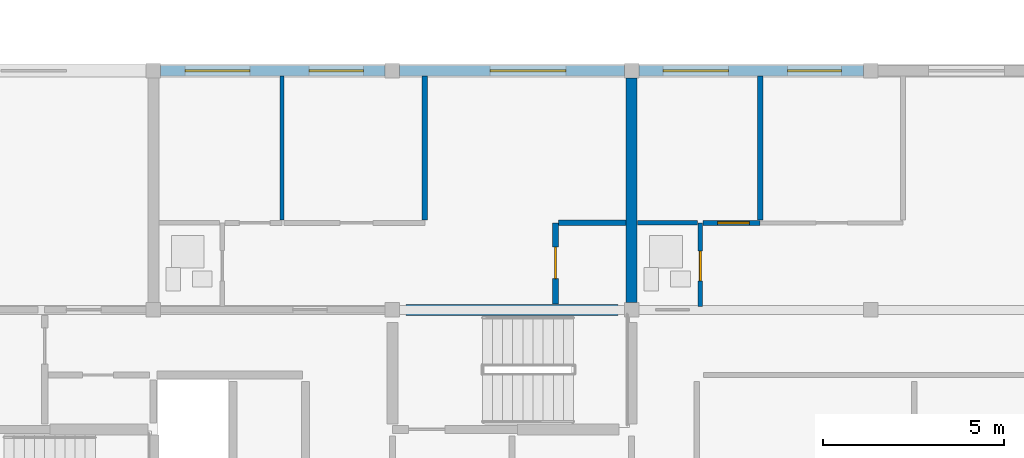
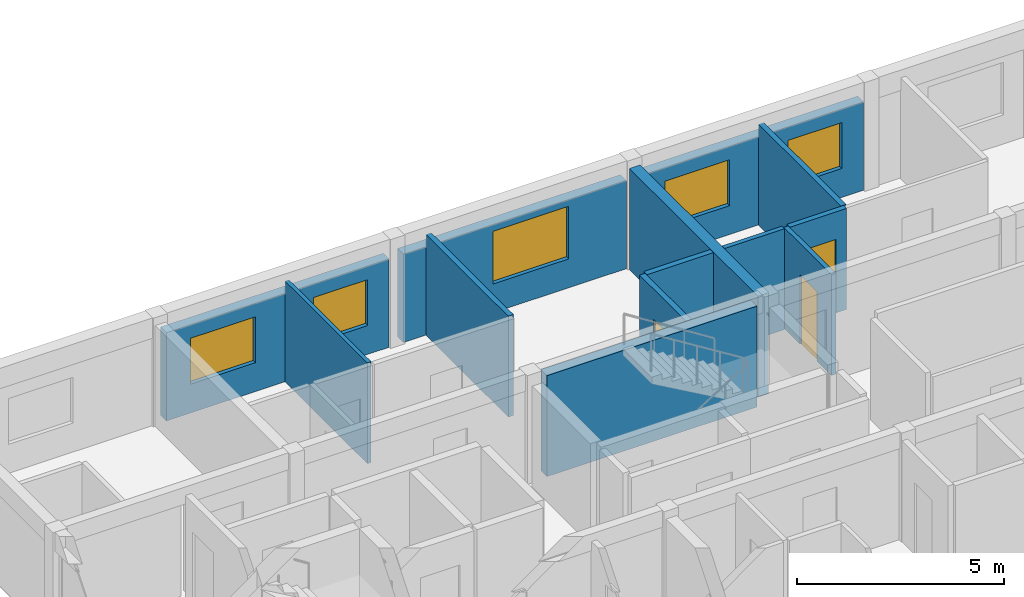
# One storey, part 25 of 34: 13 walls, 5 windows, 3 doors, 8 openings.
"""IFC4 building model written with IfcOpenShell, lengths in metres."""

import ifcopenshell
import ifcopenshell.guid

model = None  # the IFC model being written
_history = None  # IfcOwnerHistory: only IFC2X3 demands one
_inside = {}  # id of a spatial element -> (the spatial element, [elements in it])
_under = {}  # id of a project, library or spatial element -> (it, [spatial elements below it])
_declared = {}  # id of a project -> (the project, [libraries it declares])
_typed = {}  # id of a type object -> (the type object, [elements of that type])
_made_of = {}  # id of a material, layer set ... -> (it, [elements and type objects made of it])


def new_model(schema):
    """Start an empty IFC model of exactly this schema.

    Asked for "IFC4X3", IfcOpenShell would pick the latest addendum, in which some entities
    have other attributes; the version numbers below select the first issue.
    IFC2X3 requires an IfcOwnerHistory on every rooted entity: one is made here for all.
    """
    global model, _history
    if schema == "IFC4X3":
        model = ifcopenshell.file(schema_version=(4, 3, 0, 0))
    else:
        model = ifcopenshell.file(schema=schema)
    _inside.clear()
    _under.clear()
    _declared.clear()
    _typed.clear()
    _made_of.clear()
    _history = None
    if model.schema == "IFC2X3":
        org = make("IfcOrganization", Name="unknown")
        user = make(
            "IfcPersonAndOrganization",
            ThePerson=make("IfcPerson", FamilyName="unknown"),
            TheOrganization=org,
        )
        app = make(
            "IfcApplication",
            ApplicationDeveloper=org,
            Version="unknown",
            ApplicationFullName="unknown",
            ApplicationIdentifier="unknown",
        )
        _history = make(
            "IfcOwnerHistory",
            OwningUser=user,
            OwningApplication=app,
            ChangeAction="ADDED",
            CreationDate=0,
        )
    return model


def make(cls, **values):
    """One entity of the class cls with the attributes given. An attribute that is None is left unset."""
    return model.create_entity(
        cls, **{name: value for name, value in values.items() if value is not None}
    )


def rooted(cls, **values):
    """An entity with a GlobalId (a new one), such as an element, a storey or a relation."""
    return make(cls, GlobalId=ifcopenshell.guid.new(), OwnerHistory=_history, **values)


def si_unit(unit_type, name, prefix=None):
    """IfcSIUnit, for example si_unit("LENGTHUNIT", "METRE", prefix="MILLI")."""
    return make("IfcSIUnit", UnitType=unit_type, Prefix=prefix, Name=name)


def assignment(units):
    """IfcUnitAssignment: the units of a project."""
    return None if units is None else make("IfcUnitAssignment", Units=units)


def point(xyz):
    """IfcCartesianPoint."""
    return None if xyz is None else make("IfcCartesianPoint", Coordinates=xyz)


def direction(xyz):
    """IfcDirection."""
    return None if xyz is None else make("IfcDirection", DirectionRatios=xyz)


def frame(location, z_axis=None, x_axis=None):
    """IfcAxis2Placement3D, a coordinate frame: its origin and axes. An axis left out is left unset."""
    return make(
        "IfcAxis2Placement3D",
        Location=point(location),
        Axis=direction(z_axis),
        RefDirection=direction(x_axis),
    )


def frame_2d(location, x_axis=None):
    """IfcAxis2Placement2D, a coordinate frame in the plane: its origin and x axis."""
    return make(
        "IfcAxis2Placement2D", Location=point(location), RefDirection=direction(x_axis)
    )


def origin():
    """The frame at (0, 0, 0) with its axes left unset."""
    return frame((0.0, 0.0, 0.0))


def place(relative_to, where):
    """IfcLocalPlacement: puts the frame where relative to a parent placement (None: the world)."""
    return make(
        "IfcLocalPlacement", PlacementRelTo=relative_to, RelativePlacement=where
    )


def context(
    kind, dimensions, precision=None, world=None, true_north=None, identifier=None
):
    """IfcGeometricRepresentationContext, for example the 3D "Model" context."""
    return make(
        "IfcGeometricRepresentationContext",
        ContextIdentifier=identifier,
        ContextType=kind,
        CoordinateSpaceDimension=dimensions,
        Precision=precision,
        WorldCoordinateSystem=world,
        TrueNorth=true_north,
    )


def subcontext(parent, identifier, kind, view, scale=None):
    """IfcGeometricRepresentationSubContext, for example "Body" below "Model"."""
    return make(
        "IfcGeometricRepresentationSubContext",
        ContextIdentifier=identifier,
        ContextType=kind,
        ParentContext=parent,
        TargetScale=scale,
        TargetView=view,
    )


def project(units=None, contexts=None):
    """IfcProject with its units and contexts."""
    return rooted(
        "IfcProject",
        Name="project",
        RepresentationContexts=contexts,
        UnitsInContext=assignment(units),
    )


def spatial(cls, under=None, at=None, **own):
    """A site, building, storey or space (cls), placed at a placement, below another one or the project."""
    s = rooted(cls, ObjectPlacement=at, **own)
    if under is not None:
        _under.setdefault(under.id(), (under, []))[1].append(s)
    return s


def profile(cls, at=None, kind="AREA", **sizes):
    """A parametric profile (cls). Its sizes go by their IFC names, for example OverallWidth=200.0."""
    return make(cls, ProfileType=kind, Position=at, **sizes)


def rectangle(**sizes):
    """IfcRectangleProfileDef."""
    return profile("IfcRectangleProfileDef", **sizes)


def extrude(swept, where, along, depth):
    """IfcExtrudedAreaSolid: the profile swept, set in the frame where, extruded along a direction by depth."""
    return make(
        "IfcExtrudedAreaSolid",
        SweptArea=swept,
        Position=where,
        ExtrudedDirection=direction(along),
        Depth=depth,
    )


def shape(context_of_items, identifier, shape_type, items):
    """IfcShapeRepresentation: the items that make up one representation, for example the "Body"."""
    return make(
        "IfcShapeRepresentation",
        ContextOfItems=context_of_items,
        RepresentationIdentifier=identifier,
        RepresentationType=shape_type,
        Items=items,
    )


def material(Name=None, Category=None):
    """IfcMaterial."""
    return make("IfcMaterial", Name=Name, Category=Category)


def layer(
    of_material, thickness, ventilated=None, Name=None, Category=None, Priority=None
):
    """IfcMaterialLayer: one layer of a wall or slab, of a material (None: an air gap)."""
    return make(
        "IfcMaterialLayer",
        Material=of_material,
        LayerThickness=thickness,
        IsVentilated=ventilated,
        Name=Name,
        Category=Category,
        Priority=Priority,
    )


def layer_set(layers, Name=None):
    """IfcMaterialLayerSet."""
    return make("IfcMaterialLayerSet", MaterialLayers=layers, LayerSetName=Name)


def made_of(thing, what):
    """Note that an element or type object is made of a material, layer set ...; save() writes the relation."""
    if what is not None:
        _made_of.setdefault(what.id(), (what, []))[1].append(thing)
    return thing


def type_object(cls, material=None, **own):
    """A type object (cls), such as IfcWallType, which elements share."""
    return made_of(rooted(cls, **own), material)


def element(
    cls,
    number,
    at=None,
    inside=None,
    cuts=None,
    type_object=None,
    material=None,
    context=None,
    identifier="Body",
    shape_type=None,
    held_by="IfcProductDefinitionShape",
    body=None,
    shapes=None,
    **own,
):
    """One element of the class cls, such as IfcWall. Its Tag is "e" and its number.

    at: its placement. inside: the storey or other place that contains it. cuts: it is an
    opening in that element (IfcRelVoidsElement). A single representation is given by context,
    identifier, shape_type and body (its items); several are given by shapes. held_by: the class
    of the entity that holds the representations. save() writes the other relations.
    """
    e = rooted(cls, Tag="e%d" % number, ObjectPlacement=at, **own)
    if body is not None:
        shapes = [shape(context, identifier, shape_type, body)]
    if shapes is not None:
        e.Representation = make(held_by, Representations=shapes)
    if inside is not None:
        _inside.setdefault(inside.id(), (inside, []))[1].append(e)
    if cuts is not None:
        rooted(
            "IfcRelVoidsElement", RelatingBuildingElement=cuts, RelatedOpeningElement=e
        )
    if type_object is not None:
        _typed.setdefault(type_object.id(), (type_object, []))[1].append(e)
    return made_of(e, material)


def fill(opening, filler):
    """IfcRelFillsElement: the door or window that sits in an opening."""
    return rooted(
        "IfcRelFillsElement",
        RelatingOpeningElement=opening,
        RelatedBuildingElement=filler,
    )


def aggregate(whole, parts):
    """IfcRelAggregates: a whole, such as a stair, and the parts it consists of."""
    return rooted("IfcRelAggregates", RelatingObject=whole, RelatedObjects=parts)


def save(model, path):
    """Write the relations noted so far, then the file.

    IfcRelAggregates (storeys below a building ...), IfcRelContainedInSpatialStructure (elements
    in a storey), IfcRelDefinesByType, IfcRelAssociatesMaterial and IfcRelDeclares: one each for
    every whole, place, type object, material and project.
    """
    for whole, parts in _under.values():
        aggregate(whole, parts)
    for where, things in _inside.values():
        rooted(
            "IfcRelContainedInSpatialStructure",
            RelatedElements=things,
            RelatingStructure=where,
        )
    for kind, things in _typed.values():
        rooted("IfcRelDefinesByType", RelatedObjects=things, RelatingType=kind)
    for what, things in _made_of.values():
        rooted("IfcRelAssociatesMaterial", RelatedObjects=things, RelatingMaterial=what)
    for by, libraries in _declared.values():
        rooted("IfcRelDeclares", RelatingContext=by, RelatedDefinitions=libraries)
    model.write(path)


model = new_model("IFC4")

# Units and contexts
model_context = context("Model", 3, precision=1e-05, world=origin(), true_north=direction((0.0, 1.0)))
body_context = subcontext(model_context, "Body", "Model", "MODEL_VIEW")
ifc_project = project(units=[si_unit("LENGTHUNIT", "METRE"), si_unit("AREAUNIT", "SQUARE_METRE"), si_unit("VOLUMEUNIT", "CUBIC_METRE"), si_unit("PLANEANGLEUNIT", "RADIAN"), si_unit("MASSUNIT", "GRAM", prefix="KILO")], contexts=[model_context])

# Site, building, storey
site_placement = place(None, origin())
site = spatial("IfcSite", under=ifc_project, at=site_placement, CompositionType="ELEMENT")
building_placement = place(site_placement, origin())
building = spatial("IfcBuilding", under=site, at=building_placement, Name="Kernevlak Ridge Housing Community", CompositionType="ELEMENT")
storey_placement = place(building_placement, frame((0.0, 0.0, 34.0)))
storey = spatial("IfcBuildingStorey", under=building, at=storey_placement, Name="L10", CompositionType="ELEMENT", Elevation=34.0)

# Wall, openings, windows
ifc_material_1 = material(Name="Concrete block masonry M10", Category="masonry")
ifc_layer_1 = layer(ifc_material_1, 0.280029296875, Name="Concrete block masonry M10")
ifc_layer_set_1 = layer_set([ifc_layer_1], Name="Concrete block masonry M10")
wall_type_1 = type_object("IfcWallType", Name="EW-03", PredefinedType="STANDARD", material=ifc_layer_set_1)
wall_1_placement = place(storey_placement, frame((126.199951171875, 102.39990234375, 0.0), z_axis=(0.0, 0.0, 1.0), x_axis=(1.0, 0.0, 0.0)))
wall_1 = element("IfcWall", 1, at=wall_1_placement, inside=storey, type_object=wall_type_1, Name="Exterior wall EW-03 L10 457", PredefinedType="STANDARD", context=body_context, shape_type="SweptSolid", body=[
    extrude(rectangle(XDim=6.199951171875, YDim=0.280029296875, at=frame_2d((3.10009765625, 0.0))), origin(), (0.0, 0.0, 1.0), 2.60009765625),
])
opening_1_placement = place(wall_1_placement, frame((0.675048828125, 0.0, 0.85009765625)))
opening_1 = element("IfcOpeningElement", 2, at=opening_1_placement, cuts=wall_1, Name="Opening WT-03", PredefinedType="OPENING", context=body_context, shape_type="SweptSolid", body=[
    extrude(rectangle(XDim=1.800048828125, YDim=1.35009765625, at=frame_2d((0.89990234375, 0.675048828125))), frame((0.0, 0.14990234375, 0.0), z_axis=(0.0, -1.0, 0.0), x_axis=(1.0, 0.0, 0.0)), (0.0, 0.0, 1.0), 0.300048828125),
])
opening_2_placement = place(wall_1_placement, frame((4.10009765625, 0.0, 0.85009765625)))
opening_2 = element("IfcOpeningElement", 3, at=opening_2_placement, cuts=wall_1, Name="Opening WT-02", PredefinedType="OPENING", context=body_context, shape_type="SweptSolid", body=[
    extrude(rectangle(XDim=1.5, YDim=1.35009765625, at=frame_2d((0.75, 0.675048828125))), frame((0.0, 0.14990234375, 0.0), z_axis=(0.0, -1.0, 0.0), x_axis=(1.0, 0.0, 0.0)), (0.0, 0.0, 1.0), 0.300048828125),
])
ifc_material_2 = material(Name="Aluminium EN AW-6060 anodised and laminated glass", Category="aluminium")
window_type_1 = type_object("IfcWindowType", Name="WT-02", PartitioningType="SINGLE_PANEL", PredefinedType="WINDOW", material=ifc_material_2)
window_1_placement = place(opening_2_placement, origin())
window_1 = element("IfcWindow", 4, at=window_1_placement, inside=storey, type_object=window_type_1, Name="Window WT-02 L10 356", OverallHeight=1.35009765625, OverallWidth=1.5, PartitioningType="SINGLE_PANEL", PredefinedType="WINDOW", context=body_context, shape_type="SweptSolid", body=[
    extrude(rectangle(XDim=1.5, YDim=1.35009765625, at=frame_2d((0.75, 0.675048828125))), frame((0.0, 0.030029296875, 0.0), z_axis=(0.0, -1.0, 0.0), x_axis=(1.0, 0.0, 0.0)), (0.0, 0.0, 1.0), 0.06005859375),
])
fill(opening_2, window_1)
window_type_2 = type_object("IfcWindowType", Name="WT-03", PartitioningType="SINGLE_PANEL", PredefinedType="WINDOW", material=ifc_material_2)
window_2_placement = place(opening_1_placement, origin())
window_2 = element("IfcWindow", 5, at=window_2_placement, inside=storey, type_object=window_type_2, Name="Window WT-03 L10 355", OverallHeight=1.35009765625, OverallWidth=1.800048828125, PartitioningType="SINGLE_PANEL", PredefinedType="WINDOW", context=body_context, shape_type="SweptSolid", body=[
    extrude(rectangle(XDim=1.800048828125, YDim=1.35009765625, at=frame_2d((0.89990234375, 0.675048828125))), frame((0.0, 0.030029296875, 0.0), z_axis=(0.0, -1.0, 0.0), x_axis=(1.0, 0.0, 0.0)), (0.0, 0.0, 1.0), 0.06005859375),
])
fill(opening_1, window_2)

# Wall, opening, window
wall_2_placement = place(storey_placement, frame((132.800048828125, 102.39990234375, 0.0), z_axis=(0.0, 0.0, 1.0), x_axis=(1.0, 0.0, 0.0)))
wall_2 = element("IfcWall", 6, at=wall_2_placement, inside=storey, type_object=wall_type_1, Name="Exterior wall EW-03 L10 458", PredefinedType="STANDARD", context=body_context, shape_type="SweptSolid", body=[
    extrude(rectangle(XDim=6.199951171875, YDim=0.280029296875, at=frame_2d((3.10009765625, 0.0))), origin(), (0.0, 0.0, 1.0), 2.60009765625),
])
opening_3_placement = place(wall_2_placement, frame((2.49609375, 0.0, 0.85009765625)))
opening_3 = element("IfcOpeningElement", 7, at=opening_3_placement, cuts=wall_2, Name="Opening WT-05", PredefinedType="OPENING", context=body_context, shape_type="SweptSolid", body=[
    extrude(rectangle(XDim=2.10009765625, YDim=1.550048828125, at=frame_2d((1.050048828125, 0.77490234375))), frame((0.0, 0.14990234375, 0.0), z_axis=(0.0, -1.0, 0.0), x_axis=(1.0, 0.0, 0.0)), (0.0, 0.0, 1.0), 0.300048828125),
])
window_type_3 = type_object("IfcWindowType", Name="WT-05", PartitioningType="SINGLE_PANEL", PredefinedType="WINDOW", material=ifc_material_2)
window_3_placement = place(opening_3_placement, origin())
window_3 = element("IfcWindow", 8, at=window_3_placement, inside=storey, type_object=window_type_3, Name="Window WT-05 L10 357", OverallHeight=1.550048828125, OverallWidth=2.10009765625, PartitioningType="SINGLE_PANEL", PredefinedType="WINDOW", context=body_context, shape_type="SweptSolid", body=[
    extrude(rectangle(XDim=2.10009765625, YDim=1.550048828125, at=frame_2d((1.050048828125, 0.77490234375))), frame((0.0, 0.030029296875, 0.0), z_axis=(0.0, -1.0, 0.0), x_axis=(1.0, 0.0, 0.0)), (0.0, 0.0, 1.0), 0.06005859375),
])
fill(opening_3, window_3)

# Wall, openings, windows
wall_3_placement = place(storey_placement, frame((139.39990234375, 102.39990234375, 0.0), z_axis=(0.0, 0.0, 1.0), x_axis=(1.0, 0.0, 0.0)))
wall_3 = element("IfcWall", 9, at=wall_3_placement, inside=storey, type_object=wall_type_1, Name="Exterior wall EW-03 L10 459", PredefinedType="STANDARD", context=body_context, shape_type="SweptSolid", body=[
    extrude(rectangle(XDim=6.2001953125, YDim=0.280029296875, at=frame_2d((3.10009765625, 0.0))), origin(), (0.0, 0.0, 1.0), 2.60009765625),
])
opening_4_placement = place(wall_3_placement, frame((0.675048828125, 0.0, 0.85009765625)))
opening_4 = element("IfcOpeningElement", 10, at=opening_4_placement, cuts=wall_3, Name="Opening WT-03", PredefinedType="OPENING", context=body_context, shape_type="SweptSolid", body=[
    extrude(rectangle(XDim=1.800048828125, YDim=1.35009765625, at=frame_2d((0.89990234375, 0.675048828125))), frame((0.0, 0.14990234375, 0.0), z_axis=(0.0, -1.0, 0.0), x_axis=(1.0, 0.0, 0.0)), (0.0, 0.0, 1.0), 0.300048828125),
])
opening_5_placement = place(wall_3_placement, frame((4.10009765625, 0.0, 0.85009765625)))
opening_5 = element("IfcOpeningElement", 11, at=opening_5_placement, cuts=wall_3, Name="Opening WT-02", PredefinedType="OPENING", context=body_context, shape_type="SweptSolid", body=[
    extrude(rectangle(XDim=1.5, YDim=1.35009765625, at=frame_2d((0.75, 0.675048828125))), frame((0.0, 0.14990234375, 0.0), z_axis=(0.0, -1.0, 0.0), x_axis=(1.0, 0.0, 0.0)), (0.0, 0.0, 1.0), 0.300048828125),
])
window_4_placement = place(opening_5_placement, origin())
window_4 = element("IfcWindow", 12, at=window_4_placement, inside=storey, type_object=window_type_1, Name="Window WT-02 L10 359", OverallHeight=1.35009765625, OverallWidth=1.5, PartitioningType="SINGLE_PANEL", PredefinedType="WINDOW", context=body_context, shape_type="SweptSolid", body=[
    extrude(rectangle(XDim=1.5, YDim=1.35009765625, at=frame_2d((0.75, 0.675048828125))), frame((0.0, 0.030029296875, 0.0), z_axis=(0.0, -1.0, 0.0), x_axis=(1.0, 0.0, 0.0)), (0.0, 0.0, 1.0), 0.06005859375),
])
fill(opening_5, window_4)
window_5_placement = place(opening_4_placement, origin())
window_5 = element("IfcWindow", 13, at=window_5_placement, inside=storey, type_object=window_type_2, Name="Window WT-03 L10 358", OverallHeight=1.35009765625, OverallWidth=1.800048828125, PartitioningType="SINGLE_PANEL", PredefinedType="WINDOW", context=body_context, shape_type="SweptSolid", body=[
    extrude(rectangle(XDim=1.800048828125, YDim=1.35009765625, at=frame_2d((0.89990234375, 0.675048828125))), frame((0.0, 0.030029296875, 0.0), z_axis=(0.0, -1.0, 0.0), x_axis=(1.0, 0.0, 0.0)), (0.0, 0.0, 1.0), 0.06005859375),
])
fill(opening_4, window_5)

# Wall
ifc_layer_2 = layer(ifc_material_1, 0.14501953125, Name="Concrete block masonry M10")
ifc_layer_set_2 = layer_set([ifc_layer_2], Name="Concrete block masonry M10")
wall_type_2 = type_object("IfcWallType", Name="PW-03", PredefinedType="PARTITIONING", material=ifc_layer_set_2)
wall_4_placement = place(storey_placement, frame((133.491943359375, 98.282470703125, 0.0), z_axis=(0.0, 0.0, 1.0), x_axis=(0.0, 1.0, 0.0)))
element("IfcWall", 14, at=wall_4_placement, inside=storey, type_object=wall_type_2, Name="Interior wall PW-03 WAL-INT-L10-1818", PredefinedType="PARTITIONING", context=body_context, shape_type="SweptSolid", body=[
    extrude(rectangle(XDim=3.967529296875, YDim=0.14501953125, at=frame_2d((1.98388671875, 0.0))), origin(), (0.0, 0.0, 1.0), 2.969970703125),
])

# Wall, opening, door
wall_5_placement = place(storey_placement, frame((141.172607421875, 98.199951171875, 0.0), z_axis=(0.0, 0.0, 1.0), x_axis=(1.0, 0.0, 0.0)))
wall_5 = element("IfcWall", 15, at=wall_5_placement, inside=storey, type_object=wall_type_2, Name="Interior wall PW-03 WAL-INT-L10-1824", PredefinedType="PARTITIONING", context=body_context, shape_type="SweptSolid", body=[
    extrude(rectangle(XDim=1.577392578125, YDim=0.14501953125, at=frame_2d((0.78857421875, 0.0))), origin(), (0.0, 0.0, 1.0), 2.969970703125),
])
opening_6_placement = place(wall_5_placement, frame((0.39990234375, 0.0, 0.0)))
opening_6 = element("IfcOpeningElement", 16, at=opening_6_placement, cuts=wall_5, Name="Opening D924", PredefinedType="OPENING", context=body_context, shape_type="SweptSolid", body=[
    extrude(rectangle(XDim=0.8798828125, YDim=2.159912109375, at=frame_2d((0.43994140625, 1.080078125))), frame((0.0, 0.08251953125, 0.0), z_axis=(0.0, -1.0, 0.0), x_axis=(1.0, 0.0, 0.0)), (0.0, 0.0, 1.0), 0.1650390625),
])
ifc_material_3 = material(Name="Hardwood timber leaf", Category="wood")
door_type_1 = type_object("IfcDoorType", Name="DT-26", OperationType="NOTDEFINED", PredefinedType="DOOR", material=ifc_material_3)
door_1_placement = place(opening_6_placement, origin())
door_1 = element("IfcDoor", 17, at=door_1_placement, inside=storey, type_object=door_type_1, Name="Flat B1023 bedroom door D924", OperationType="SINGLE_SWING_RIGHT", OverallHeight=2.159912109375, OverallWidth=0.8798828125, PredefinedType="DOOR", context=body_context, shape_type="SweptSolid", body=[
    extrude(rectangle(XDim=0.8798828125, YDim=2.159912109375, at=frame_2d((0.43994140625, 1.080078125))), frame((0.0, 0.02490234375, 0.0), z_axis=(0.0, -1.0, 0.0), x_axis=(1.0, 0.0, 0.0)), (0.0, 0.0, 1.0), 0.050048828125),
])
fill(opening_6, door_1)

# Wall
wall_6_placement = place(storey_placement, frame((142.75, 98.282470703125, 0.0), z_axis=(0.0, 0.0, 1.0), x_axis=(0.0, 1.0, 0.0)))
element("IfcWall", 18, at=wall_6_placement, inside=storey, type_object=wall_type_2, Name="Interior wall PW-03 WAL-INT-L10-1825", PredefinedType="PARTITIONING", context=body_context, shape_type="SweptSolid", body=[
    extrude(rectangle(XDim=3.967529296875, YDim=0.14501953125, at=frame_2d((1.98388671875, 0.0))), origin(), (0.0, 0.0, 1.0), 2.969970703125),
])

# Wall, opening, door
ifc_material_4 = material(Name="Gypsum plasterboard EN 520", Category="gypsum")
ifc_layer_3 = layer(ifc_material_4, 0.125, Name="Gypsum plasterboard EN 520")
ifc_layer_set_3 = layer_set([ifc_layer_3], Name="Gypsum plasterboard EN 520")
wall_type_3 = type_object("IfcWallType", Name="PW-04", PredefinedType="PARTITIONING", material=ifc_layer_set_3)
wall_7_placement = place(storey_placement, frame((141.10009765625, 95.8974609375, 0.0), z_axis=(0.0, 0.0, 1.0), x_axis=(0.0, 1.0, 0.0)))
wall_7 = element("IfcWall", 19, at=wall_7_placement, inside=storey, type_object=wall_type_3, Name="Interior wall PW-04 WAL-INT-L10-1820", PredefinedType="PARTITIONING", context=body_context, shape_type="SweptSolid", body=[
    extrude(rectangle(XDim=2.302490234375, YDim=0.125, at=frame_2d((1.1513671875, 0.0))), origin(), (0.0, 0.0, 1.0), 2.969970703125),
])
opening_7_placement = place(wall_7_placement, frame((0.699951171875, 0.0, 0.0)))
opening_7 = element("IfcOpeningElement", 20, at=opening_7_placement, cuts=wall_7, Name="Opening D922", PredefinedType="OPENING", context=body_context, shape_type="SweptSolid", body=[
    extrude(rectangle(XDim=0.820068359375, YDim=2.050048828125, at=frame_2d((0.41015625, 1.02490234375))), frame((0.0, 0.072509765625, 0.0), z_axis=(0.0, -1.0, 0.0), x_axis=(1.0, 0.0, 0.0)), (0.0, 0.0, 1.0), 0.14501953125),
])
ifc_material_5 = material(Name="Hardwood timber moisture-resistant leaf", Category="wood")
door_type_2 = type_object("IfcDoorType", Name="DT-30", OperationType="NOTDEFINED", PredefinedType="DOOR", material=ifc_material_5)
door_2_placement = place(opening_7_placement, origin())
door_2 = element("IfcDoor", 21, at=door_2_placement, inside=storey, type_object=door_type_2, Name="Flat B1023 bathroom door D922", OperationType="SINGLE_SWING_RIGHT", OverallHeight=2.050048828125, OverallWidth=0.820068359375, PredefinedType="DOOR", context=body_context, shape_type="SweptSolid", body=[
    extrude(rectangle(XDim=0.820068359375, YDim=2.050048828125, at=frame_2d((0.41015625, 1.02490234375))), frame((0.0, 0.02490234375, 0.0), z_axis=(0.0, -1.0, 0.0), x_axis=(1.0, 0.0, 0.0)), (0.0, 0.0, 1.0), 0.050048828125),
])
fill(opening_7, door_2)

# Wall
wall_8_placement = place(storey_placement, frame((139.360107421875, 98.199951171875, 0.0), z_axis=(0.0, 0.0, 1.0), x_axis=(1.0, 0.0, 0.0)))
element("IfcWall", 22, at=wall_8_placement, inside=storey, type_object=wall_type_3, Name="Interior wall PW-04 WAL-INT-L10-1821", PredefinedType="PARTITIONING", context=body_context, shape_type="SweptSolid", body=[
    extrude(rectangle(XDim=1.659912109375, YDim=0.125, at=frame_2d((0.830078125, 0.0))), origin(), (0.0, 0.0, 1.0), 2.969970703125),
])

# Wall, opening, door
ifc_layer_4 = layer(ifc_material_4, 0.155029296875, Name="Gypsum plasterboard EN 520")
ifc_layer_set_4 = layer_set([ifc_layer_4], Name="Gypsum plasterboard EN 520")
wall_type_4 = type_object("IfcWallType", Name="PW-05", PredefinedType="PARTITIONING", material=ifc_layer_set_4)
wall_9_placement = place(storey_placement, frame((137.10009765625, 95.9599609375, 0.0), z_axis=(0.0, 0.0, 1.0), x_axis=(0.0, 1.0, 0.0)))
wall_9 = element("IfcWall", 23, at=wall_9_placement, inside=storey, type_object=wall_type_4, Name="Interior wall PW-05 WAL-INT-L10-1813", PredefinedType="PARTITIONING", context=body_context, shape_type="SweptSolid", body=[
    extrude(rectangle(XDim=2.239990234375, YDim=0.155029296875, at=frame_2d((1.1201171875, 0.0))), origin(), (0.0, 0.0, 1.0), 2.969970703125),
])
opening_8_placement = place(wall_9_placement, frame((0.699951171875, 0.0, 0.0)))
opening_8 = element("IfcOpeningElement", 24, at=opening_8_placement, cuts=wall_9, Name="Opening D918", PredefinedType="OPENING", context=body_context, shape_type="SweptSolid", body=[
    extrude(rectangle(XDim=0.8701171875, YDim=2.080078125, at=frame_2d((0.43505859375, 1.0400390625))), frame((0.0, 0.08740234375, 0.0), z_axis=(0.0, -1.0, 0.0), x_axis=(1.0, 0.0, 0.0)), (0.0, 0.0, 1.0), 0.175048828125),
])
door_type_3 = type_object("IfcDoorType", Name="DT-32", OperationType="NOTDEFINED", PredefinedType="DOOR", material=ifc_material_3)
door_3_placement = place(opening_8_placement, origin())
door_3 = element("IfcDoor", 25, at=door_3_placement, inside=storey, type_object=door_type_3, Name="Flat B1022 kitchen door D918", OperationType="SINGLE_SWING_RIGHT", OverallHeight=2.080078125, OverallWidth=0.8701171875, PredefinedType="DOOR", context=body_context, shape_type="SweptSolid", body=[
    extrude(rectangle(XDim=0.8701171875, YDim=2.080078125, at=frame_2d((0.43505859375, 1.0400390625))), frame((0.0, 0.02490234375, 0.0), z_axis=(0.0, -1.0, 0.0), x_axis=(1.0, 0.0, 0.0)), (0.0, 0.0, 1.0), 0.050048828125),
])
fill(opening_8, door_3)

# Walls
wall_10_placement = place(storey_placement, frame((137.1875, 98.199951171875, 0.0), z_axis=(0.0, 0.0, 1.0), x_axis=(1.0, 0.0, 0.0)))
element("IfcWall", 26, at=wall_10_placement, inside=storey, type_object=wall_type_4, Name="Interior wall PW-05 WAL-INT-L10-1814", PredefinedType="PARTITIONING", context=body_context, shape_type="SweptSolid", body=[
    extrude(rectangle(XDim=1.8525390625, YDim=0.155029296875, at=frame_2d((0.92626953125, 0.0))), origin(), (0.0, 0.0, 1.0), 2.969970703125),
])
ifc_layer_5 = layer(ifc_material_4, 0.10498046875, Name="Gypsum plasterboard EN 520")
ifc_layer_set_5 = layer_set([ifc_layer_5], Name="Gypsum plasterboard EN 520")
wall_type_5 = type_object("IfcWallType", Name="PW-06", PredefinedType="PARTITIONING", material=ifc_layer_set_5)
wall_11_placement = place(storey_placement, frame((129.550048828125, 98.282470703125, 0.0), z_axis=(0.0, 0.0, 1.0), x_axis=(0.0, 1.0, 0.0)))
element("IfcWall", 27, at=wall_11_placement, inside=storey, type_object=wall_type_5, Name="Interior wall PW-06 WAL-INT-L10-1816", PredefinedType="PARTITIONING", context=body_context, shape_type="SweptSolid", body=[
    extrude(rectangle(XDim=3.967529296875, YDim=0.10498046875, at=frame_2d((1.98388671875, 0.0))), origin(), (0.0, 0.0, 1.0), 2.969970703125),
])
ifc_material_6 = material(Name="Concrete C40/50", Category="concrete")
ifc_layer_6 = layer(ifc_material_6, 0.300048828125, Name="Concrete C40/50")
ifc_layer_set_6 = layer_set([ifc_layer_6], Name="Concrete C40/50")
wall_type_6 = type_object("IfcWallType", Name="SW-02", PredefinedType="SHEAR", material=ifc_layer_set_6)
wall_12_placement = place(storey_placement, frame((132.97998046875, 95.800048828125, 0.0), z_axis=(0.0, 0.0, 1.0), x_axis=(1.0, 0.0, 0.0)))
element("IfcWall", 28, at=wall_12_placement, inside=storey, type_object=wall_type_6, Name="Shear wall SW-02 Block B L10 314", PredefinedType="SHEAR", context=body_context, shape_type="SweptSolid", body=[
    extrude(rectangle(XDim=5.840087890625, YDim=0.300048828125, at=frame_2d((2.919921875, 0.0))), origin(), (0.0, 0.0, 1.0), 2.969970703125),
])
wall_13_placement = place(storey_placement, frame((139.199951171875, 96.0, 0.0), z_axis=(0.0, 0.0, 1.0), x_axis=(0.0, 1.0, 0.0)))
element("IfcWall", 29, at=wall_13_placement, inside=storey, type_object=wall_type_6, Name="Shear wall SW-02 Block B L10 320", PredefinedType="SHEAR", context=body_context, shape_type="SweptSolid", body=[
    extrude(rectangle(XDim=6.199951171875, YDim=0.300048828125, at=frame_2d((3.10009765625, 0.0))), origin(), (0.0, 0.0, 1.0), 2.969970703125),
])

save(model, "model.ifc")
